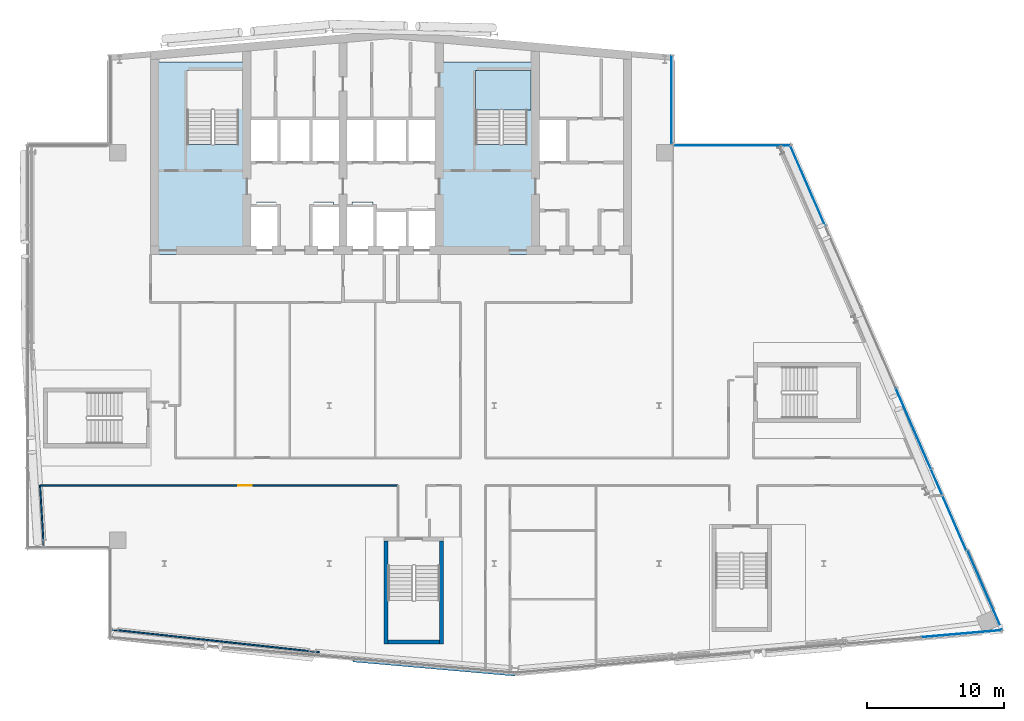
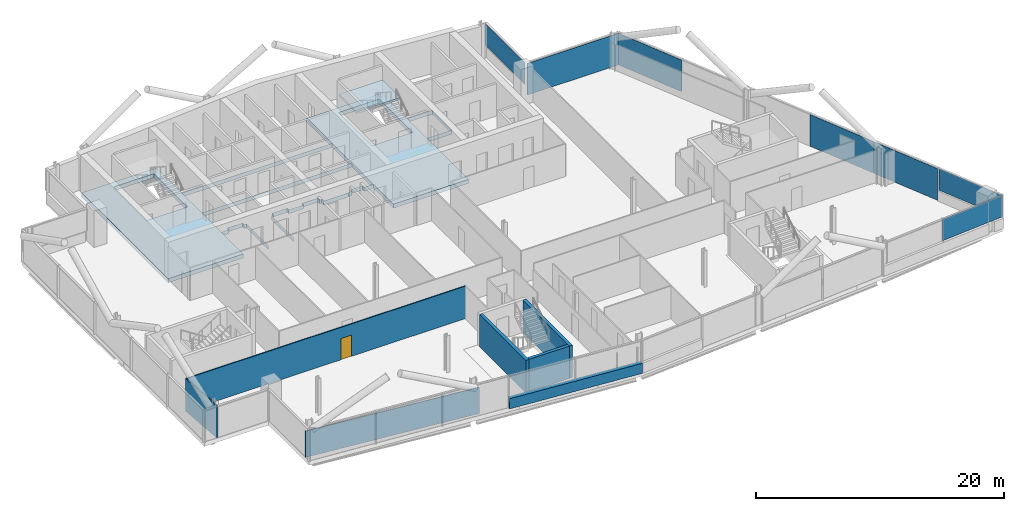
# One storey, part 14 of 26: 7 plates, 7 walls, 2 slabs, 1 door, 1 opening, 5 elements without a shape of their own.
"""IFC4 building model written with IfcOpenShell, lengths in metres."""

from ifc_helpers import new_model, si_unit, direction, frame, frame_2d, origin, origin_2d, place, context, subcontext, project, spatial, polyline, rectangle, outline, extrude, material, layer, layer_set, type_object, element, fill, aggregate, save


model = new_model("IFC4")

# Units and contexts
model_context = context("Model", 3, precision=1e-05, world=origin(), true_north=direction((0.0, 1.0)))
body_context = subcontext(model_context, "Body", "Model", "MODEL_VIEW")
ifc_project = project(units=[si_unit("LENGTHUNIT", "METRE"), si_unit("AREAUNIT", "SQUARE_METRE"), si_unit("VOLUMEUNIT", "CUBIC_METRE"), si_unit("PLANEANGLEUNIT", "RADIAN"), si_unit("MASSUNIT", "GRAM", prefix="KILO")], contexts=[model_context])

# Site, building, storey
site_placement = place(None, origin())
site = spatial("IfcSite", under=ifc_project, at=site_placement, CompositionType="ELEMENT")
building_placement = place(site_placement, origin())
building = spatial("IfcBuilding", under=site, at=building_placement, Name="Wharfspan Tower", CompositionType="ELEMENT")
storey_placement = place(building_placement, frame((0.0, 0.0, 217.899902)))
storey = spatial("IfcBuildingStorey", under=building, at=storey_placement, Name="L54", CompositionType="ELEMENT", Elevation=217.899902)

# Curtain wall, plate
ifc_material_1 = material(Name="Aluminium 6063-T6", Category="aluminium")
curtain_wall_type_1 = type_object("IfcCurtainWallType", Name="CURTAIN WALL FACETED FRONT", PredefinedType="NOTDEFINED", material=ifc_material_1)
curtain_wall_1_placement = place(storey_placement, origin())
curtain_wall_1 = element("IfcCurtainWall", 1, at=curtain_wall_1_placement, inside=storey, type_object=curtain_wall_type_1, Name="Curtain wall S2", PredefinedType="NOTDEFINED")
ifc_material_2 = material(Name="Glass clear low-iron double glazing", Category="glass")
ifc_layer_1 = layer(ifc_material_2, 0.040039)
ifc_layer_set_1 = layer_set([ifc_layer_1], Name="Glass clear low-iron double glazing")
plate_type_1 = type_object("IfcPlateType", Name="GLASS PANEL FACETED FRONT 40", PredefinedType="CURTAIN_PANEL", material=ifc_layer_set_1)
plate_1_placement = place(storey_placement, frame((82.021484, 6.399658, 1.0), z_axis=(0.0, 0.0, 1.0), x_axis=(0.996197, 0.087156, 0.0)))
plate_1 = element("IfcPlate", 2, at=plate_1_placement, type_object=plate_type_1, Name="Curtain wall S2 panel 6", PredefinedType="CURTAIN_PANEL", context=body_context, shape_type="SweptSolid", body=[
    extrude(rectangle(XDim=5.849365, YDim=0.040039, at=origin_2d()), origin(), (0.0, 0.0, 1.0), 2.120117),
])
aggregate(curtain_wall_1, [plate_1])

curtain_wall_type_2 = type_object("IfcCurtainWallType", Name="CURTAIN WALL PROW AND END", PredefinedType="NOTDEFINED", material=ifc_material_1)
curtain_wall_2_placement = place(storey_placement, origin())
curtain_wall_2 = element("IfcCurtainWall", 3, at=curtain_wall_2_placement, inside=storey, type_object=curtain_wall_type_2, Name="Curtain wall E", PredefinedType="NOTDEFINED")
ifc_layer_2 = layer(ifc_material_2, 0.040039)
ifc_layer_set_2 = layer_set([ifc_layer_2], Name="Glass clear low-iron double glazing")
plate_type_2 = type_object("IfcPlateType", Name="GLASS PANEL PROW AND END 40", PredefinedType="CURTAIN_PANEL", material=ifc_layer_set_2)
plate_2_placement = place(storey_placement, frame((83.711426, 9.563721, 1.0), z_axis=(0.0, 0.0, 1.0), x_axis=(-0.398727, 0.917072, 0.0)))
plate_2 = element("IfcPlate", 4, at=plate_2_placement, type_object=plate_type_2, Name="Curtain wall E panel 1", PredefinedType="CURTAIN_PANEL", context=body_context, shape_type="SweptSolid", body=[
    extrude(rectangle(XDim=6.343506, YDim=0.040039, at=origin_2d()), origin(), (0.0, 0.0, 1.0), 2.120117),
])

curtain_wall_3_placement = place(storey_placement, origin())
curtain_wall_3 = element("IfcCurtainWall", 5, at=curtain_wall_3_placement, inside=storey, type_object=curtain_wall_type_2, Name="Curtain wall NRE-V", PredefinedType="NOTDEFINED")
plate_3_placement = place(storey_placement, frame((60.919922, 45.262451, 1.0), z_axis=(0.0, 0.0, 1.0), x_axis=(0.0, 1.0, 0.0)))
plate_3 = element("IfcPlate", 6, at=plate_3_placement, type_object=plate_type_2, Name="Curtain wall NRE-V panel 1", PredefinedType="CURTAIN_PANEL", context=body_context, shape_type="SweptSolid", body=[
    extrude(rectangle(XDim=6.405029, YDim=0.040039, at=origin_2d()), origin(), (0.0, 0.0, 1.0), 2.120117),
])
aggregate(curtain_wall_3, [plate_3])

# Plate
ifc_material_3 = material(Name="Aluminium composite opaque insulated panel", Category="aluminium")
ifc_layer_3 = layer(ifc_material_3, 0.040039)
ifc_layer_set_3 = layer_set([ifc_layer_3], Name="Aluminium composite opaque insulated panel")
plate_type_3 = type_object("IfcPlateType", Name="INFILL PANEL PROW AND END OPAQUE 40", PredefinedType="SHEET", material=ifc_layer_set_3)
plate_4_placement = place(storey_placement, frame((81.078857, 15.418213, 0.0), z_axis=(0.0, 0.0, 1.0), x_axis=(-0.398727, 0.917072, 0.0)))
plate_4 = element("IfcPlate", 7, at=plate_4_placement, type_object=plate_type_3, Name="Curtain wall E panel 2", PredefinedType="SHEET", context=body_context, shape_type="SweptSolid", body=[
    extrude(rectangle(XDim=6.373535, YDim=0.040039, at=origin_2d()), origin(), (0.0, 0.0, 1.0), 3.120117),
])

plate_5_placement = place(storey_placement, frame((78.513672, 21.318115, 0.0), z_axis=(0.0, 0.0, 1.0), x_axis=(-0.398727, 0.917072, 0.0)))
plate_5 = element("IfcPlate", 8, at=plate_5_placement, type_object=plate_type_3, Name="Curtain wall E panel 3", PredefinedType="SHEET", context=body_context, shape_type="SweptSolid", body=[
    extrude(rectangle(XDim=6.373535, YDim=0.040039, at=origin_2d()), origin(), (0.0, 0.0, 1.0), 3.120117),
])

plate_6_placement = place(storey_placement, frame((70.823975, 39.004395, 0.0), z_axis=(0.0, 0.0, 1.0), x_axis=(-0.398727, 0.917072, 0.0)))
plate_6 = element("IfcPlate", 9, at=plate_6_placement, type_object=plate_type_3, Name="Curtain wall E panel 6", PredefinedType="SHEET", context=body_context, shape_type="SweptSolid", body=[
    extrude(rectangle(XDim=6.343506, YDim=0.040039, at=origin_2d()), origin(), (0.0, 0.0, 1.0), 3.120117),
])

aggregate(curtain_wall_2, [plate_2, plate_4, plate_5, plate_6])

# Curtain wall, plate
curtain_wall_4_placement = place(storey_placement, origin())
curtain_wall_4 = element("IfcCurtainWall", 10, at=curtain_wall_4_placement, inside=storey, type_object=curtain_wall_type_2, Name="Curtain wall NRE-H", PredefinedType="NOTDEFINED")
plate_7_placement = place(storey_placement, frame((65.304443, 41.919922, 0.0), z_axis=(0.0, 0.0, 1.0), x_axis=(-1.0, 0.0, 0.0)))
plate_7 = element("IfcPlate", 11, at=plate_7_placement, type_object=plate_type_3, Name="Curtain wall NRE-H panel 1", PredefinedType="SHEET", context=body_context, shape_type="SweptSolid", body=[
    extrude(rectangle(XDim=8.48877, YDim=0.040039, at=origin_2d()), origin(), (0.0, 0.0, 1.0), 3.120117),
])
aggregate(curtain_wall_4, [plate_7])

# Slab
ifc_material_4 = material(Name="Concrete C40/50", Category="concrete")
ifc_layer_4 = layer(ifc_material_4, 0.399902)
ifc_layer_set_4 = layer_set([ifc_layer_4], Name="Concrete C40/50")
slab_type_1 = type_object("IfcSlabType", Name="Post-tensioned flat slab 400", PredefinedType="FLOOR", material=ifc_layer_set_4)
slab_1_placement = place(storey_placement, frame((0.0, 0.0, -0.400146)))
element("IfcSlab", 12, at=slab_1_placement, inside=storey, type_object=slab_type_1, Name="Core floor slab L54 part 2", PredefinedType="FLOOR", context=body_context, shape_type="SweptSolid", body=[
    extrude(outline(polyline([(23.0, 34.0), (29.998047, 34.0), (29.998047, 37.550049), (29.998047, 37.550293), (29.998047, 37.550293), (29.998047, 37.550537), (29.998291, 37.550781), (29.998291, 37.550781), (29.998291, 37.551025), (29.998535, 37.55127), (29.998535, 37.551514), (29.998779, 37.551514), (29.998779, 37.551758), (29.999023, 37.551758), (29.999268, 37.551758), (29.999512, 37.552002), (29.999512, 37.552002), (29.999756, 37.552002), (30.0, 37.552002), (30.7146, 37.552002), (30.7146, 37.800049), (30.7146, 37.800293), (30.7146, 37.800293), (30.714844, 37.800537), (30.714844, 37.800781), (30.714844, 37.800781), (30.715088, 37.801025), (30.715088, 37.80127), (30.715332, 37.801514), (30.715332, 37.801514), (30.715576, 37.801758), (30.71582, 37.801758), (30.71582, 37.801758), (30.716064, 37.802002), (30.716309, 37.802002), (30.716553, 37.802002), (30.716797, 37.802002), (32.116699, 37.802002), (32.116943, 37.802002), (32.117188, 37.802002), (32.117188, 37.802002), (32.117432, 37.801758), (32.117676, 37.801758), (32.11792, 37.801758), (32.11792, 37.801514), (32.118164, 37.801514), (32.118164, 37.80127), (32.118408, 37.801025), (32.118408, 37.800781), (32.118408, 37.800781), (32.118652, 37.800537), (32.118652, 37.800293), (32.118652, 37.800293), (32.118652, 37.800049), (32.118652, 37.552002), (32.333252, 37.552002), (32.333496, 37.552002), (32.33374, 37.552002), (32.333984, 37.552002), (32.333984, 37.551758), (32.334229, 37.551758), (32.334473, 37.551758), (32.334717, 37.551514), (32.334717, 37.551514), (32.334961, 37.55127), (32.334961, 37.551025), (32.335205, 37.550781), (32.335205, 37.550781), (32.335205, 37.550537), (32.335205, 37.550293), (32.335205, 37.550293), (32.335205, 37.550049), (32.335205, 34.0), (32.341309, 34.0), (32.341309, 37.558105), (32.126709, 37.558105), (32.126465, 37.558105), (32.126221, 37.558105), (32.126221, 37.558105), (32.125977, 37.558105), (32.125732, 37.558105), (32.125488, 37.55835), (32.125488, 37.558594), (32.125244, 37.558594), (32.125244, 37.558594), (32.125, 37.558838), (32.125, 37.559082), (32.125, 37.559082), (32.124756, 37.559326), (32.124756, 37.55957), (32.124756, 37.559814), (32.124756, 37.560059), (32.124756, 37.808105), (30.70874, 37.808105), (30.70874, 37.560059), (30.70874, 37.559814), (30.70874, 37.55957), (30.708496, 37.559326), (30.708496, 37.559082), (30.708496, 37.559082), (30.708496, 37.558838), (30.708252, 37.558594), (30.708008, 37.558594), (30.708008, 37.558594), (30.707764, 37.55835), (30.70752, 37.558105), (30.70752, 37.558105), (30.707275, 37.558105), (30.707031, 37.558105), (30.706787, 37.558105), (30.706787, 37.558105), (30.01001, 37.558105), (30.009766, 37.558105), (30.009521, 37.558105), (30.009521, 37.558105), (30.009277, 37.558105), (30.009033, 37.558105), (30.008789, 37.55835), (30.008789, 37.558594), (30.008545, 37.558594), (30.008545, 37.558594), (30.008301, 37.558838), (30.008301, 37.559082), (30.008301, 37.559082), (30.008057, 37.559326), (30.008057, 37.55957), (30.008057, 37.559814), (30.008057, 37.560059), (30.008057, 40.689941), (30.008057, 40.690186), (30.008057, 40.69043), (30.008057, 40.690674), (30.008301, 40.690918), (30.008301, 40.690918), (30.008301, 40.691162), (30.008545, 40.691406), (30.008545, 40.691406), (30.008789, 40.691406), (30.008789, 40.69165), (30.009033, 40.691895), (30.009277, 40.691895), (30.009521, 40.691895), (30.009521, 40.691895), (30.009766, 40.691895), (30.01001, 40.691895), (43.98999, 40.691895), (43.990234, 40.691895), (43.990479, 40.691895), (43.990479, 40.691895), (43.990723, 40.691895), (43.990967, 40.691895), (43.991211, 40.69165), (43.991211, 40.691406), (43.991455, 40.691406), (43.991455, 40.691406), (43.991699, 40.691162), (43.991699, 40.690918), (43.991699, 40.690918), (43.991943, 40.690674), (43.991943, 40.69043), (43.991943, 40.690186), (43.991943, 40.689941), (43.991943, 37.26001), (43.991943, 37.259766), (43.991943, 37.259521), (43.991943, 37.259521), (43.991699, 37.259277), (43.991699, 37.259033), (43.991699, 37.258789), (43.991455, 37.258789), (43.991455, 37.258545), (43.991211, 37.258545), (43.991211, 37.258301), (43.990967, 37.258301), (43.990723, 37.258301), (43.990479, 37.258057), (43.990479, 37.258057), (43.990234, 37.258057), (43.98999, 37.258057), (43.143311, 37.258057), (43.143066, 37.258057), (43.142822, 37.258057), (43.142578, 37.258057), (43.142578, 37.258301), (43.142334, 37.258301), (43.14209, 37.258301), (43.14209, 37.258545), (43.141846, 37.258545), (43.141846, 37.258789), (43.141602, 37.258789), (43.141602, 37.259033), (43.141602, 37.259277), (43.141357, 37.259521), (43.141357, 37.259521), (43.141357, 37.259766), (43.141357, 37.26001), (43.141357, 37.508057), (42.025391, 37.508057), (42.025391, 37.26001), (42.025391, 37.259766), (42.025391, 37.259521), (42.025146, 37.259521), (42.025146, 37.259277), (42.025146, 37.259033), (42.024902, 37.258789), (42.024902, 37.258789), (42.024658, 37.258545), (42.024658, 37.258545), (42.024414, 37.258301), (42.02417, 37.258301), (42.02417, 37.258301), (42.023926, 37.258057), (42.023682, 37.258057), (42.023438, 37.258057), (42.023193, 37.258057), (41.658691, 37.258057), (41.658691, 37.209961), (41.658691, 37.209717), (41.658691, 37.209717), (41.658691, 37.209473), (41.658447, 37.209229), (41.658447, 37.208984), (41.658447, 37.208984), (41.658203, 37.20874), (41.658203, 37.208496), (41.657959, 37.208496), (41.657715, 37.208252), (41.657715, 37.208252), (41.657471, 37.208252), (41.657227, 37.208008), (41.656982, 37.208008), (41.656982, 37.208008), (41.656738, 37.208008), (39.343262, 37.208008), (39.343018, 37.208008), (39.343018, 37.208008), (39.342773, 37.208008), (39.342529, 37.208252), (39.342285, 37.208252), (39.342285, 37.208252), (39.342041, 37.208496), (39.341797, 37.208496), (39.341797, 37.20874), (39.341553, 37.208984), (39.341553, 37.208984), (39.341553, 37.209229), (39.341309, 37.209473), (39.341309, 37.209717), (39.341309, 37.209717), (39.341309, 37.209961), (39.341309, 37.558105), (39.166748, 37.558105), (39.166504, 37.558105), (39.16626, 37.558105), (39.166016, 37.558105), (39.166016, 37.558105), (39.165771, 37.558105), (39.165527, 37.55835), (39.165283, 37.558594), (39.165283, 37.558594), (39.165283, 37.558594), (39.165039, 37.558838), (39.164795, 37.559082), (39.164795, 37.559082), (39.164795, 37.559326), (39.164795, 37.55957), (39.164795, 37.559814), (39.164795, 37.560059), (39.164795, 37.808105), (37.668701, 37.808105), (37.668701, 37.560059), (37.668701, 37.559814), (37.668701, 37.55957), (37.668701, 37.559326), (37.668457, 37.559082), (37.668457, 37.559082), (37.668457, 37.558838), (37.668213, 37.558594), (37.668213, 37.558594), (37.667969, 37.558594), (37.667725, 37.55835), (37.66748, 37.558105), (37.66748, 37.558105), (37.667236, 37.558105), (37.666992, 37.558105), (37.666992, 37.558105), (37.666748, 37.558105), (36.293213, 37.558105), (36.293213, 37.558105), (36.292969, 37.558105), (36.292725, 37.558105), (36.29248, 37.558105), (36.29248, 37.558105), (36.292236, 37.55835), (36.291992, 37.558594), (36.291992, 37.558594), (36.291748, 37.558594), (36.291504, 37.558838), (36.291504, 37.559082), (36.291504, 37.559082), (36.291504, 37.559326), (36.29126, 37.55957), (36.29126, 37.559814), (36.29126, 37.560059), (36.29126, 37.808105), (34.875244, 37.808105), (34.875244, 37.560059), (34.875244, 37.559814), (34.875244, 37.55957), (34.875244, 37.559326), (34.875, 37.559082), (34.875, 37.559082), (34.875, 37.558838), (34.874756, 37.558594), (34.874756, 37.558594), (34.874512, 37.558594), (34.874512, 37.55835), (34.874268, 37.558105), (34.874023, 37.558105), (34.873779, 37.558105), (34.873779, 37.558105), (34.873535, 37.558105), (34.873291, 37.558105), (34.658691, 37.558105), (34.658691, 34.0), (34.664795, 34.0), (34.664795, 37.550049), (34.664795, 37.550293), (34.664795, 37.550293), (34.664795, 37.550537), (34.664795, 37.550781), (34.664795, 37.550781), (34.665039, 37.551025), (34.665039, 37.55127), (34.665283, 37.551514), (34.665283, 37.551514), (34.665527, 37.551758), (34.665771, 37.551758), (34.666016, 37.551758), (34.666016, 37.552002), (34.66626, 37.552002), (34.666504, 37.552002), (34.666748, 37.552002), (34.881348, 37.552002), (34.881348, 37.800049), (34.881348, 37.800293), (34.881348, 37.800293), (34.881348, 37.800537), (34.881592, 37.800781), (34.881592, 37.800781), (34.881592, 37.801025), (34.881836, 37.80127), (34.881836, 37.801514), (34.88208, 37.801514), (34.88208, 37.801758), (34.882324, 37.801758), (34.882568, 37.801758), (34.882812, 37.802002), (34.882812, 37.802002), (34.883057, 37.802002), (34.883301, 37.802002), (36.283203, 37.802002), (36.283447, 37.802002), (36.283691, 37.802002), (36.283936, 37.802002), (36.28418, 37.801758), (36.28418, 37.801758), (36.284424, 37.801758), (36.284668, 37.801514), (36.284668, 37.801514), (36.284912, 37.80127), (36.284912, 37.801025), (36.285156, 37.800781), (36.285156, 37.800781), (36.285156, 37.800537), (36.2854, 37.800293), (36.2854, 37.800293), (36.2854, 37.800049), (36.2854, 37.552002), (37.674805, 37.552002), (37.674805, 37.800049), (37.674805, 37.800293), (37.674805, 37.800293), (37.674805, 37.800537), (37.674805, 37.800781), (37.674805, 37.800781), (37.675049, 37.801025), (37.675049, 37.80127), (37.675293, 37.801514), (37.675293, 37.801514), (37.675537, 37.801758), (37.675781, 37.801758), (37.675781, 37.801758), (37.676025, 37.802002), (37.67627, 37.802002), (37.676514, 37.802002), (37.676758, 37.802002), (39.156738, 37.802002), (39.156982, 37.802002), (39.156982, 37.802002), (39.157227, 37.802002), (39.157471, 37.801758), (39.157715, 37.801758), (39.157715, 37.801758), (39.157959, 37.801514), (39.158203, 37.801514), (39.158203, 37.80127), (39.158203, 37.801025), (39.158447, 37.800781), (39.158447, 37.800781), (39.158691, 37.800537), (39.158691, 37.800293), (39.158691, 37.800293), (39.158691, 37.800049), (39.158691, 37.552002), (39.333252, 37.552002), (39.333496, 37.552002), (39.33374, 37.552002), (39.333984, 37.552002), (39.333984, 37.551758), (39.334229, 37.551758), (39.334473, 37.551758), (39.334717, 37.551514), (39.334717, 37.551514), (39.334961, 37.55127), (39.334961, 37.551025), (39.335205, 37.550781), (39.335205, 37.550781), (39.335205, 37.550537), (39.335205, 37.550293), (39.335205, 37.550293), (39.335205, 37.550049), (39.335205, 37.201904), (41.664795, 37.201904), (41.664795, 37.25), (41.664795, 37.250244), (41.664795, 37.250488), (41.664795, 37.250488), (41.664795, 37.250732), (41.664795, 37.250977), (41.665039, 37.251221), (41.665039, 37.251221), (41.665283, 37.251465), (41.665283, 37.251465), (41.665527, 37.251709), (41.665771, 37.251709), (41.666016, 37.251709), (41.666016, 37.251953), (41.66626, 37.251953), (41.666504, 37.251953), (41.666748, 37.251953), (42.03125, 37.251953), (42.03125, 37.5), (42.03125, 37.500244), (42.031494, 37.500488), (42.031494, 37.500488), (42.031494, 37.500732), (42.031494, 37.500977), (42.031738, 37.501221), (42.031738, 37.501221), (42.031982, 37.501465), (42.031982, 37.501465), (42.032227, 37.501709), (42.032471, 37.501709), (42.032715, 37.501709), (42.032715, 37.501953), (42.032959, 37.501953), (42.033203, 37.501953), (42.033203, 37.501953), (43.133301, 37.501953), (43.133545, 37.501953), (43.133789, 37.501953), (43.133789, 37.501953), (43.134033, 37.501709), (43.134277, 37.501709), (43.134521, 37.501709), (43.134521, 37.501465), (43.134766, 37.501465), (43.13501, 37.501221), (43.13501, 37.501221), (43.13501, 37.500977), (43.135254, 37.500732), (43.135254, 37.500488), (43.135254, 37.500488), (43.135254, 37.500244), (43.135254, 37.5), (43.135254, 37.251953), (44.0, 37.251953), (44.000244, 37.251953), (44.000488, 37.251953), (44.000488, 37.251953), (44.000732, 37.251709), (44.000977, 37.251709), (44.001221, 37.251709), (44.001221, 37.251465), (44.001465, 37.251465), (44.001465, 37.251221), (44.001709, 37.251221), (44.001709, 37.250977), (44.001709, 37.250732), (44.001953, 37.250488), (44.001953, 37.250488), (44.001953, 37.250244), (44.001953, 37.25), (44.001953, 34.0), (51.0, 34.0), (51.008057, 34.0), (51.008057, 40.689941), (51.008057, 40.690186), (51.008057, 40.69043), (51.008057, 40.690674), (51.008301, 40.690918), (51.008301, 40.690918), (51.008301, 40.691162), (51.008545, 40.691406), (51.008545, 40.691406), (51.008789, 40.691406), (51.008789, 40.69165), (51.009033, 40.691895), (51.009277, 40.691895), (51.009521, 40.691895), (51.009521, 40.691895), (51.009766, 40.691895), (51.01001, 40.691895), (53.341309, 40.691895), (53.341309, 43.907959), (51.01001, 43.907959), (51.009766, 43.907959), (51.009521, 43.907959), (51.009521, 43.908203), (51.009277, 43.908203), (51.009033, 43.908203), (51.008789, 43.908203), (51.008789, 43.908447), (51.008545, 43.908691), (51.008545, 43.908691), (51.008301, 43.908936), (51.008301, 43.90918), (51.008301, 43.90918), (51.008057, 43.909424), (51.008057, 43.909668), (51.008057, 43.909912), (51.008057, 43.909912), (51.008057, 48.008057), (43.991943, 48.008057), (43.991943, 43.909912), (43.991943, 43.909912), (43.991943, 43.909668), (43.991943, 43.909424), (43.991699, 43.90918), (43.991699, 43.90918), (43.991699, 43.908936), (43.991455, 43.908691), (43.991455, 43.908691), (43.991211, 43.908447), (43.991211, 43.908203), (43.990967, 43.908203), (43.990723, 43.908203), (43.990479, 43.908203), (43.990479, 43.907959), (43.990234, 43.907959), (43.98999, 43.907959), (30.01001, 43.907959), (30.009766, 43.907959), (30.009521, 43.907959), (30.009521, 43.908203), (30.009277, 43.908203), (30.009033, 43.908203), (30.008789, 43.908203), (30.008789, 43.908447), (30.008545, 43.908691), (30.008545, 43.908691), (30.008301, 43.908936), (30.008301, 43.90918), (30.008301, 43.90918), (30.008057, 43.909424), (30.008057, 43.909668), (30.008057, 43.909912), (30.008057, 43.909912), (30.008057, 48.008057), (23.0, 48.008057), (23.0, 48.0), (23.0, 34.0)]), holes=[polyline([(53.333252, 43.9021), (53.333496, 43.9021), (53.33374, 43.9021), (53.333984, 43.901855), (53.333984, 43.901855), (53.334229, 43.901855), (53.334473, 43.901611), (53.334717, 43.901611), (53.334717, 43.901367), (53.334961, 43.901367), (53.334961, 43.901123), (53.335205, 43.900879), (53.335205, 43.900879), (53.335205, 43.900635), (53.335205, 43.900391), (53.335205, 43.900146), (53.335205, 43.899902), (53.335205, 40.699951), (53.335205, 40.699707), (53.335205, 40.699707), (53.335205, 40.699463), (53.335205, 40.699219), (53.335205, 40.699219), (53.334961, 40.698975), (53.334961, 40.69873), (53.334717, 40.698486), (53.334717, 40.698486), (53.334473, 40.698242), (53.334229, 40.698242), (53.333984, 40.698242), (53.333984, 40.697998), (53.33374, 40.697998), (53.333496, 40.697998), (53.333252, 40.697998), (51.0, 40.697998), (50.999756, 40.697998), (50.999512, 40.697998), (50.999512, 40.697998), (50.999268, 40.698242), (50.999023, 40.698242), (50.998779, 40.698242), (50.998779, 40.698486), (50.998535, 40.698486), (50.998535, 40.69873), (50.998291, 40.698975), (50.998291, 40.699219), (50.998291, 40.699219), (50.998047, 40.699463), (50.998047, 40.699707), (50.998047, 40.699707), (50.998047, 40.699951), (50.998047, 43.899902), (50.998047, 43.900146), (50.998047, 43.900391), (50.998047, 43.900635), (50.998291, 43.900879), (50.998291, 43.900879), (50.998291, 43.901123), (50.998535, 43.901367), (50.998535, 43.901367), (50.998779, 43.901611), (50.998779, 43.901611), (50.999023, 43.901855), (50.999268, 43.901855), (50.999512, 43.901855), (50.999512, 43.9021), (50.999756, 43.9021), (51.0, 43.9021), (53.333252, 43.9021)]), polyline([(46.649902, 41.998047), (46.649902, 41.998047), (46.649658, 41.998047), (46.649414, 41.998047), (46.64917, 41.998291), (46.64917, 41.998291), (46.648926, 41.998291), (46.648682, 41.998535), (46.648682, 41.998535), (46.648438, 41.998779), (46.648193, 41.998779), (46.648193, 41.999023), (46.648193, 41.999268), (46.648193, 41.999512), (46.647949, 41.999512), (46.647949, 41.999756), (46.647949, 42.0), (46.647949, 47.399902), (46.647949, 47.400146), (46.647949, 47.400391), (46.648193, 47.400635), (46.648193, 47.400879), (46.648193, 47.400879), (46.648193, 47.401123), (46.648438, 47.401367), (46.648682, 47.401367), (46.648682, 47.401611), (46.648926, 47.401611), (46.64917, 47.401855), (46.64917, 47.401855), (46.649414, 47.401855), (46.649658, 47.4021), (46.649902, 47.4021), (46.649902, 47.4021), (50.399902, 47.4021), (50.400146, 47.4021), (50.400391, 47.4021), (50.400635, 47.401855), (50.400879, 47.401855), (50.400879, 47.401855), (50.401123, 47.401611), (50.401367, 47.401611), (50.401367, 47.401367), (50.401611, 47.401367), (50.401611, 47.401123), (50.401855, 47.400879), (50.401855, 47.400879), (50.401855, 47.400635), (50.4021, 47.400391), (50.4021, 47.400146), (50.4021, 47.399902), (50.4021, 42.0), (50.4021, 41.999756), (50.4021, 41.999512), (50.401855, 41.999512), (50.401855, 41.999268), (50.401855, 41.999023), (50.401611, 41.998779), (50.401611, 41.998779), (50.401367, 41.998535), (50.401367, 41.998535), (50.401123, 41.998291), (50.400879, 41.998291), (50.400879, 41.998291), (50.400635, 41.998047), (50.400391, 41.998047), (50.400146, 41.998047), (50.399902, 41.998047), (46.649902, 41.998047)]), polyline([(44.0, 43.9021), (44.000244, 43.9021), (44.000488, 43.9021), (44.000488, 43.901855), (44.000732, 43.901855), (44.000977, 43.901855), (44.001221, 43.901611), (44.001221, 43.901611), (44.001465, 43.901367), (44.001465, 43.901367), (44.001709, 43.901123), (44.001709, 43.900879), (44.001709, 43.900879), (44.001953, 43.900635), (44.001953, 43.900391), (44.001953, 43.900146), (44.001953, 43.899902), (44.001953, 40.699951), (44.001953, 40.699707), (44.001953, 40.699707), (44.001953, 40.699463), (44.001709, 40.699219), (44.001709, 40.699219), (44.001709, 40.698975), (44.001465, 40.69873), (44.001465, 40.698486), (44.001221, 40.698486), (44.001221, 40.698242), (44.000977, 40.698242), (44.000732, 40.698242), (44.000488, 40.697998), (44.000488, 40.697998), (44.000244, 40.697998), (44.0, 40.697998), (30.0, 40.697998), (29.999756, 40.697998), (29.999512, 40.697998), (29.999512, 40.697998), (29.999268, 40.698242), (29.999023, 40.698242), (29.998779, 40.698242), (29.998779, 40.698486), (29.998535, 40.698486), (29.998535, 40.69873), (29.998291, 40.698975), (29.998291, 40.699219), (29.998291, 40.699219), (29.998047, 40.699463), (29.998047, 40.699707), (29.998047, 40.699707), (29.998047, 40.699951), (29.998047, 43.899902), (29.998047, 43.900146), (29.998047, 43.900391), (29.998047, 43.900635), (29.998291, 43.900879), (29.998291, 43.900879), (29.998291, 43.901123), (29.998535, 43.901367), (29.998535, 43.901367), (29.998779, 43.901611), (29.998779, 43.901611), (29.999023, 43.901855), (29.999268, 43.901855), (29.999512, 43.901855), (29.999512, 43.9021), (29.999756, 43.9021), (30.0, 43.9021), (44.0, 43.9021)]), polyline([(29.4021, 42.0), (29.4021, 41.999756), (29.4021, 41.999512), (29.401855, 41.999512), (29.401855, 41.999268), (29.401855, 41.999023), (29.401611, 41.998779), (29.401611, 41.998779), (29.401367, 41.998535), (29.401367, 41.998535), (29.401123, 41.998291), (29.400879, 41.998291), (29.400879, 41.998291), (29.400635, 41.998047), (29.400391, 41.998047), (29.400146, 41.998047), (29.399902, 41.998047), (25.649902, 41.998047), (25.649902, 41.998047), (25.649658, 41.998047), (25.649414, 41.998047), (25.64917, 41.998291), (25.64917, 41.998291), (25.648926, 41.998291), (25.648682, 41.998535), (25.648682, 41.998535), (25.648438, 41.998779), (25.648193, 41.998779), (25.648193, 41.999023), (25.648193, 41.999268), (25.648193, 41.999512), (25.647949, 41.999512), (25.647949, 41.999756), (25.647949, 42.0), (25.647949, 47.399902), (25.647949, 47.400146), (25.647949, 47.400391), (25.648193, 47.400635), (25.648193, 47.400879), (25.648193, 47.400879), (25.648193, 47.401123), (25.648438, 47.401367), (25.648682, 47.401367), (25.648682, 47.401611), (25.648926, 47.401611), (25.64917, 47.401855), (25.64917, 47.401855), (25.649414, 47.401855), (25.649658, 47.4021), (25.649902, 47.4021), (25.649902, 47.4021), (29.399902, 47.4021), (29.400146, 47.4021), (29.400391, 47.4021), (29.400635, 47.401855), (29.400879, 47.401855), (29.400879, 47.401855), (29.401123, 47.401611), (29.401367, 47.401611), (29.401367, 47.401367), (29.401611, 47.401367), (29.401611, 47.401123), (29.401855, 47.400879), (29.401855, 47.400879), (29.401855, 47.400635), (29.4021, 47.400391), (29.4021, 47.400146), (29.4021, 47.399902), (29.4021, 42.0)])]), origin(), (0.0, 0.0, 1.0), 0.400146),
])

# Stair, slab
stair_type = type_object("IfcStairType", Name="Half-turn stair 20 risers 180 mm", PredefinedType="HALF_TURN_STAIR", material=ifc_material_4)
stair_placement = place(storey_placement, origin())
stair = element("IfcStair", 13, at=stair_placement, inside=storey, type_object=stair_type, Name="L54 stair ST2", PredefinedType="HALF_TURN_STAIR")
ifc_layer_5 = layer(ifc_material_4, 0.199951)
ifc_layer_set_5 = layer_set([ifc_layer_5], Name="Concrete C40/50")
slab_type_2 = type_object("IfcSlabType", Name="Stair landing 200", PredefinedType="LANDING", material=ifc_layer_set_5)
slab_2_placement = place(storey_placement, frame((0.0, 0.0, 1.599854)))
slab_2 = element("IfcSlab", 14, at=slab_2_placement, type_object=slab_type_2, Name="ST2 landing 1", PredefinedType="LANDING", context=body_context, shape_type="SweptSolid", body=[
    extrude(outline(polyline([(46.649902, 44.52002), (50.699951, 44.52002), (50.699951, 47.399902), (46.649902, 47.399902), (46.649902, 44.52002)])), origin(), (0.0, 0.0, 1.0), 0.200195),
])
aggregate(stair, [slab_2])

# Wall, opening, door
ifc_material_5 = material(Name="Gypsum board on steel studs", Category="steel")
ifc_layer_6 = layer(ifc_material_5, 0.100098)
ifc_layer_set_6 = layer_set([ifc_layer_6], Name="Gypsum board on steel studs")
wall_type_1 = type_object("IfcWallType", Name="Compartment wall 100 EI 60", PredefinedType="PARTITIONING", material=ifc_layer_set_6)
wall_1_placement = place(storey_placement, frame((14.945068, 17.195068, 0.0), z_axis=(0.0, 0.0, 1.0), x_axis=(1.0, 0.0, 0.0)))
wall_1 = element("IfcWall", 15, at=wall_1_placement, inside=storey, type_object=wall_type_1, Name="Partition L54.w003", PredefinedType="PARTITIONING", context=body_context, shape_type="SweptSolid", body=[
    extrude(rectangle(XDim=26.054932, YDim=0.100098, at=frame_2d((13.027344, 0.0))), origin(), (0.0, 0.0, 1.0), 3.200195),
])
opening_placement = place(wall_1_placement, frame((14.419922, 0.0, 0.0)))
opening = element("IfcOpeningElement", 16, at=opening_placement, cuts=wall_1, Name="Opening D2-06", PredefinedType="OPENING", context=body_context, shape_type="SweptSolid", body=[
    extrude(rectangle(XDim=1.0, YDim=2.100098, at=frame_2d((0.5, 1.050049))), frame((0.0, 0.060059, 0.0), z_axis=(0.0, -1.0, 0.0), x_axis=(1.0, 0.0, 0.0)), (0.0, 0.0, 1.0), 0.120117),
])
ifc_material_6 = material(Name="Fire-rated timber door leaf in steel frame", Category="steel")
door_type = type_object("IfcDoorType", Name="Door 1000 FD30S Right", OperationType="SINGLE_SWING_RIGHT", PredefinedType="DOOR", material=ifc_material_6)
door_placement = place(opening_placement, origin())
door = element("IfcDoor", 17, at=door_placement, inside=storey, type_object=door_type, Name="Door D2-06", OperationType="SINGLE_SWING_RIGHT", OverallHeight=2.100098, OverallWidth=1.0, PredefinedType="DOOR", context=body_context, shape_type="SweptSolid", body=[
    extrude(rectangle(XDim=1.0, YDim=2.100098, at=frame_2d((0.5, 1.050049))), frame((0.0, 0.024902, 0.0), z_axis=(0.0, -1.0, 0.0), x_axis=(1.0, 0.0, 0.0)), (0.0, 0.0, 1.0), 0.050049),
])
fill(opening, door)

# Walls
wall_2_placement = place(storey_placement, frame((15.223877, 12.620117, 0.0), z_axis=(0.0, 0.0, 1.0), x_axis=(-0.060903, 0.99814, 0.0)))
element("IfcWall", 18, at=wall_2_placement, inside=storey, type_object=wall_type_1, Name="Partition L54.w004", PredefinedType="PARTITIONING", context=body_context, shape_type="SweptSolid", body=[
    extrude(rectangle(XDim=4.585938, YDim=0.100098, at=frame_2d((2.292969, 0.0))), origin(), (0.0, 0.0, 1.0), 3.200195),
])
ifc_layer_7 = layer(ifc_material_5, 0.100098)
ifc_layer_set_7 = layer_set([ifc_layer_7], Name="Gypsum board on steel studs")
wall_type_2 = type_object("IfcWallType", Name="Partition 100", PredefinedType="PARTITIONING", material=ifc_layer_set_7)
wall_3_placement = place(storey_placement, frame((35.274902, 5.054932, 0.0), z_axis=(0.0, 0.0, 1.0), x_axis=(-0.994128, 0.108228, 0.0)))
element("IfcWall", 19, at=wall_3_placement, inside=storey, type_object=wall_type_2, Name="Partition L54.w014", PredefinedType="PARTITIONING", context=body_context, shape_type="SweptSolid", body=[
    extrude(rectangle(XDim=15.334961, YDim=0.100098, at=frame_2d((7.66748, 0.0))), origin(), (0.0, 0.0, 1.0), 2.580078),
])
ifc_layer_8 = layer(ifc_material_4, 0.350098)
ifc_layer_set_8 = layer_set([ifc_layer_8], Name="Concrete C40/50")
wall_type_3 = type_object("IfcWallType", Name="SPANDREL EXPOSED CONCRETE 350", PredefinedType="SOLIDWALL", material=ifc_layer_set_8)
wall_4_placement = place(storey_placement, frame((37.729492, 4.519043, 0.0), z_axis=(0.0, 0.0, 1.0), x_axis=(0.99619, -0.087167, 0.0)))
element("IfcWall", 20, at=wall_4_placement, inside=storey, type_object=wall_type_3, Name="Spandrel upstand L54 S1", PredefinedType="SOLIDWALL", context=body_context, shape_type="SweptSolid", body=[
    extrude(rectangle(XDim=11.830566, YDim=0.350098, at=frame_2d((5.915283, 0.0))), origin(), (0.0, 0.0, 1.0), 1.0),
])
ifc_layer_9 = layer(ifc_material_4, 0.300049)
ifc_layer_set_9 = layer_set([ifc_layer_9], Name="Concrete C40/50")
wall_type_4 = type_object("IfcWallType", Name="Stair core wall 300", PredefinedType="SHEAR", material=ifc_layer_set_9)
for number, where, z_axis, x_axis, name in (
    (21, (40.127197, 5.643311, 0.0), (0.0, 0.0, 1.0), (0.0, 1.0, 0.0), "ST4 stair enclosure wall L54"),
    (22, (44.177002, 5.643311, 0.0), (0.0, 0.0, 1.0), (0.0, 1.0, 0.0), "ST4 stair enclosure wall L54"),
):
    element("IfcWall", number, at=place(storey_placement, frame(where, z_axis=z_axis, x_axis=x_axis)), inside=storey, type_object=wall_type_4, Name=name, PredefinedType="SHEAR", context=body_context, shape_type="SweptSolid", body=[
        extrude(rectangle(XDim=7.5, YDim=0.300049, at=frame_2d((3.75, 0.0))), origin(), (0.0, 0.0, 1.0), 3.200195),
    ])
wall_5_placement = place(storey_placement, frame((40.2771, 5.793213, 0.0), z_axis=(0.0, 0.0, 1.0), x_axis=(1.0, 0.0, 0.0)))
element("IfcWall", 23, at=wall_5_placement, inside=storey, type_object=wall_type_4, Name="ST4 stair enclosure wall L54", PredefinedType="SHEAR", context=body_context, shape_type="SweptSolid", body=[
    extrude(rectangle(XDim=3.75, YDim=0.300049, at=frame_2d((1.875, 0.0))), origin(), (0.0, 0.0, 1.0), 3.200195),
])

save(model, "model.ifc")
